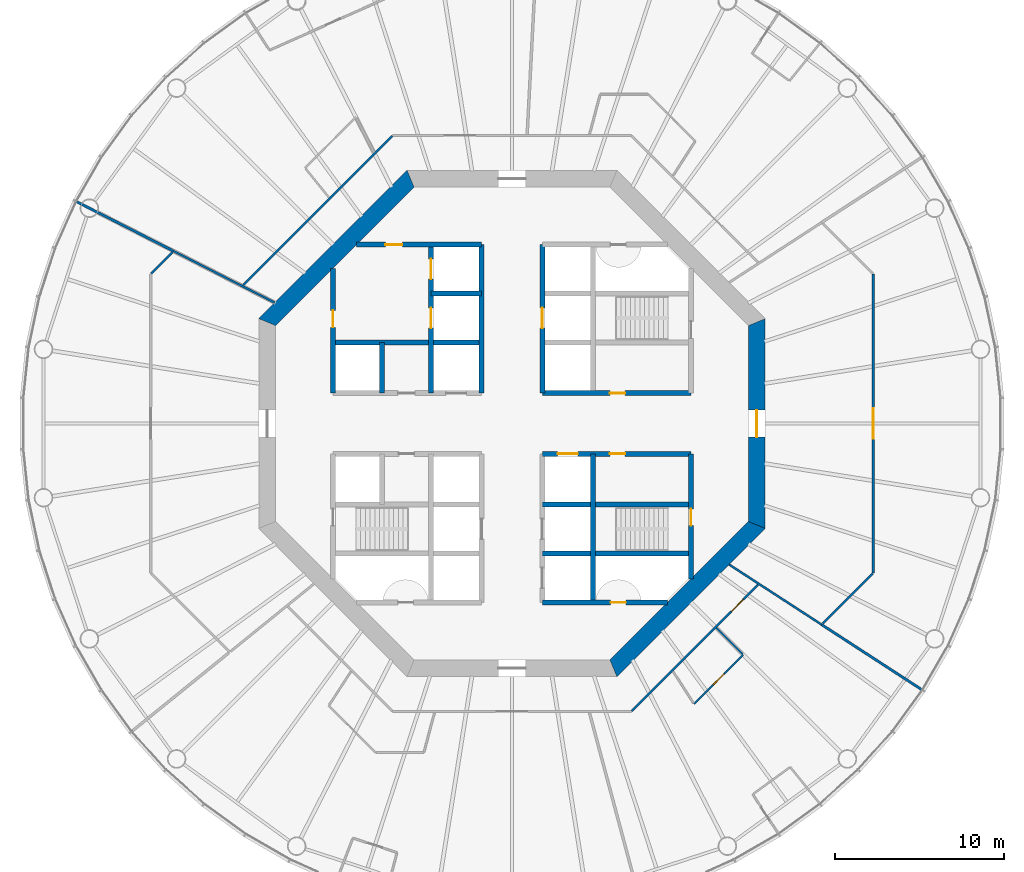
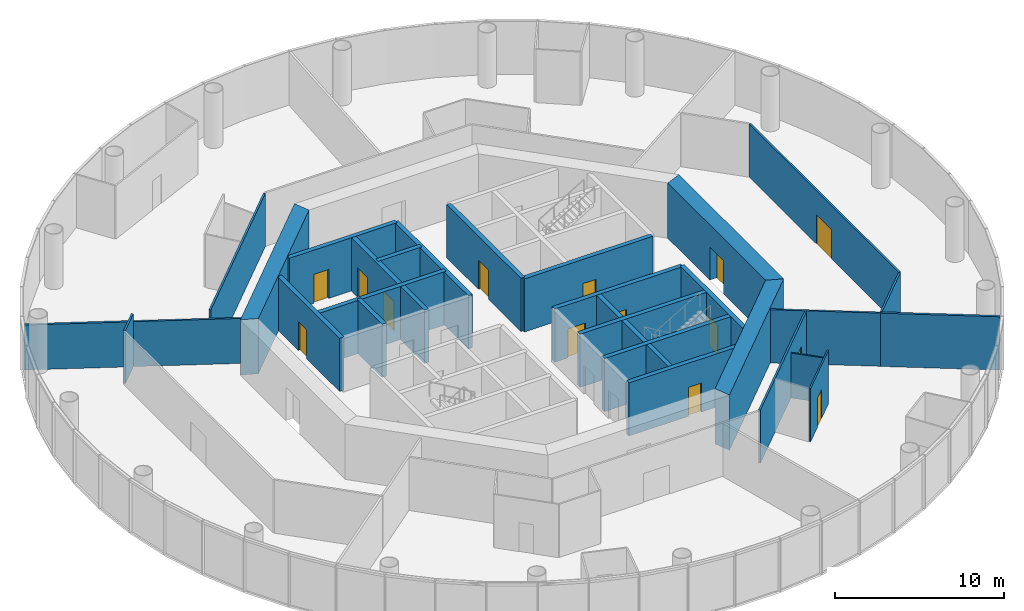
# One storey, part 4 of 13: 29 walls, 14 doors, 14 openings.
"""IFC4 building model written with IfcOpenShell, lengths in metres."""

from ifc_helpers import new_model, si_unit, direction, frame, frame_2d, origin, place, context, subcontext, project, spatial, polyline, rectangle, outline, extrude, material, layer, layer_set, type_object, element, fill, save


model = new_model("IFC4")

# Units and contexts
model_context = context("Model", 3, precision=1e-05, world=origin(), true_north=direction((0.0, 1.0)))
body_context = subcontext(model_context, "Body", "Model", "MODEL_VIEW")
ifc_project = project(units=[si_unit("LENGTHUNIT", "METRE"), si_unit("AREAUNIT", "SQUARE_METRE"), si_unit("VOLUMEUNIT", "CUBIC_METRE"), si_unit("PLANEANGLEUNIT", "RADIAN"), si_unit("MASSUNIT", "GRAM", prefix="KILO")], contexts=[model_context])

# Site, building, storey
site_placement = place(None, origin())
site = spatial("IfcSite", under=ifc_project, at=site_placement, CompositionType="ELEMENT")
building_placement = place(site_placement, origin())
building = spatial("IfcBuilding", under=site, at=building_placement, Name="Entoto Ring Tower", CompositionType="ELEMENT")
storey_placement = place(building_placement, frame((0.0, 0.0, 172.0)))
storey = spatial("IfcBuildingStorey", under=building, at=storey_placement, Name="L39", CompositionType="ELEMENT", Elevation=172.0)

# Wall, opening, door
ifc_material_1 = material(Name="Concrete C40/50", Category="concrete")
ifc_layer_1 = layer(ifc_material_1, 0.300048828125)
ifc_layer_set_1 = layer_set([ifc_layer_1], Name="Concrete C40/50")
wall_type_1 = type_object("IfcWallType", Name="Core enclosure wall 300 mm reinforced concrete", PredefinedType="SOLIDWALL", material=ifc_layer_set_1)
wall_1_placement = place(storey_placement, frame((100.60009765625, 70.801025390625, 0.0), z_axis=(0.0, 0.0, 1.0), x_axis=(0.0, 1.0, 0.0)))
wall_1 = element("IfcWall", 1, at=wall_1_placement, inside=storey, type_object=wall_type_1, Name="wall-L39-001", PredefinedType="SOLIDWALL", context=body_context, shape_type="SweptSolid", body=[
    extrude(rectangle(XDim=7.39892578125, YDim=0.300048828125, at=frame_2d((3.699462890625, 0.0))), origin(), (0.0, 0.0, 1.0), 3.85009765625),
])
opening_1_placement = place(wall_1_placement, frame((3.14892578125, 0.0, 0.0)))
opening_1 = element("IfcOpeningElement", 2, at=opening_1_placement, cuts=wall_1, Name="Opening K-17", PredefinedType="OPENING", context=body_context, shape_type="SweptSolid", body=[
    extrude(rectangle(XDim=1.0, YDim=2.10009765625, at=frame_2d((0.5, 1.050048828125))), frame((0.0, 0.16015625, 0.0), z_axis=(0.0, -1.0, 0.0), x_axis=(1.0, 0.0, 0.0)), (0.0, 0.0, 1.0), 0.320068359375),
])
ifc_material_2 = material(Name="Steel door leaf, fire rated", Category="steel")
ifc_layer_2 = layer(ifc_material_2, 0.050048828125)
ifc_layer_set_2 = layer_set([ifc_layer_2], Name="Steel door leaf, fire rated")
door_type_1 = type_object("IfcDoorType", Name="Fire door FD60 1000 x 2100 single leaf", OperationType="NOTDEFINED", PredefinedType="DOOR", material=ifc_layer_set_2)
door_1_placement = place(opening_1_placement, origin())
door_1 = element("IfcDoor", 3, at=door_1_placement, inside=storey, type_object=door_type_1, Name="Door K-17", OperationType="SINGLE_SWING_RIGHT", OverallHeight=2.10009765625, OverallWidth=1.0, PredefinedType="DOOR", context=body_context, shape_type="SweptSolid", body=[
    extrude(rectangle(XDim=1.0, YDim=2.10009765625, at=frame_2d((0.5, 1.050048828125))), frame((0.0, 0.02490234375, 0.0), z_axis=(0.0, -1.0, 0.0), x_axis=(1.0, 0.0, 0.0)), (0.0, 0.0, 1.0), 0.050048828125),
])
fill(opening_1, door_1)

# Wall
wall_2_placement = place(storey_placement, frame((94.800048828125, 69.39990234375, 0.0), z_axis=(0.0, 0.0, 1.0), x_axis=(0.0, 1.0, 0.0)))
element("IfcWall", 4, at=wall_2_placement, inside=storey, type_object=wall_type_1, Name="wall-L39-003", PredefinedType="SOLIDWALL", context=body_context, shape_type="SweptSolid", body=[
    extrude(rectangle(XDim=8.800048828125, YDim=0.300048828125, at=frame_2d((4.39990234375, 0.0))), origin(), (0.0, 0.0, 1.0), 3.85009765625),
])

# Wall, opening, door
wall_3_placement = place(storey_placement, frame((91.800048828125, 81.800048828125, 0.0), z_axis=(0.0, 0.0, 1.0), x_axis=(0.0, 1.0, 0.0)))
wall_3 = element("IfcWall", 5, at=wall_3_placement, inside=storey, type_object=wall_type_1, Name="wall-L39-006", PredefinedType="SOLIDWALL", context=body_context, shape_type="SweptSolid", body=[
    extrude(rectangle(XDim=8.800048828125, YDim=0.300048828125, at=frame_2d((4.39990234375, 0.0))), origin(), (0.0, 0.0, 1.0), 3.85009765625),
])
opening_2_placement = place(wall_3_placement, frame((3.85009765625, 0.0, 0.0)))
opening_2 = element("IfcOpeningElement", 6, at=opening_2_placement, cuts=wall_3, Name="Opening LD", PredefinedType="OPENING", context=body_context, shape_type="SweptSolid", body=[
    extrude(rectangle(XDim=1.199951171875, YDim=2.10009765625, at=frame_2d((0.60009765625, 1.050048828125))), frame((0.0, 0.16015625, 0.0), z_axis=(0.0, -1.0, 0.0), x_axis=(1.0, 0.0, 0.0)), (0.0, 0.0, 1.0), 0.320068359375),
])
ifc_material_3 = material(Name="Steel and glass door leaf", Category="steel")
ifc_layer_3 = layer(ifc_material_3, 0.050048828125)
ifc_layer_set_3 = layer_set([ifc_layer_3], Name="Steel and glass door leaf")
door_type_2 = type_object("IfcDoorType", Name="Landing door 1200 x 2100 sliding", OperationType="DOUBLE_DOOR_SLIDING", PredefinedType="DOOR", material=ifc_layer_set_3)
door_2_placement = place(opening_2_placement, origin())
door_2 = element("IfcDoor", 7, at=door_2_placement, inside=storey, type_object=door_type_2, Name="Landing door LB1-MR", OperationType="SLIDING_TO_RIGHT", OverallHeight=2.10009765625, OverallWidth=1.199951171875, PredefinedType="DOOR", context=body_context, shape_type="SweptSolid", body=[
    extrude(rectangle(XDim=1.199951171875, YDim=2.10009765625, at=frame_2d((0.60009765625, 1.050048828125))), frame((0.0, 0.02490234375, 0.0), z_axis=(0.0, -1.0, 0.0), x_axis=(1.0, 0.0, 0.0)), (0.0, 0.0, 1.0), 0.050048828125),
])
fill(opening_2, door_2)

# Wall
wall_4_placement = place(storey_placement, frame((88.199951171875, 81.800048828125, 0.0), z_axis=(0.0, 0.0, 1.0), x_axis=(0.0, 1.0, 0.0)))
element("IfcWall", 8, at=wall_4_placement, inside=storey, type_object=wall_type_1, Name="wall-L39-008", PredefinedType="SOLIDWALL", context=body_context, shape_type="SweptSolid", body=[
    extrude(rectangle(XDim=8.800048828125, YDim=0.300048828125, at=frame_2d((4.39990234375, 0.0))), origin(), (0.0, 0.0, 1.0), 3.85009765625),
])

# Wall, openings, doors
wall_5_placement = place(storey_placement, frame((85.199951171875, 81.800048828125, 0.0), z_axis=(0.0, 0.0, 1.0), x_axis=(0.0, 1.0, 0.0)))
wall_5 = element("IfcWall", 9, at=wall_5_placement, inside=storey, type_object=wall_type_1, Name="wall-L39-010", PredefinedType="SOLIDWALL", context=body_context, shape_type="SweptSolid", body=[
    extrude(rectangle(XDim=8.800048828125, YDim=0.300048828125, at=frame_2d((4.39990234375, 0.0))), origin(), (0.0, 0.0, 1.0), 3.85009765625),
])
opening_3_placement = place(wall_5_placement, frame((3.85009765625, 0.0, 0.0)))
opening_3 = element("IfcOpeningElement", 10, at=opening_3_placement, cuts=wall_5, Name="Opening LD", PredefinedType="OPENING", context=body_context, shape_type="SweptSolid", body=[
    extrude(rectangle(XDim=1.199951171875, YDim=2.10009765625, at=frame_2d((0.60009765625, 1.050048828125))), frame((0.0, 0.16015625, 0.0), z_axis=(0.0, -1.0, 0.0), x_axis=(1.0, 0.0, 0.0)), (0.0, 0.0, 1.0), 0.320068359375),
])
opening_4_placement = place(wall_5_placement, frame((6.75, 0.0, 0.0)))
opening_4 = element("IfcOpeningElement", 11, at=opening_4_placement, cuts=wall_5, Name="Opening LD", PredefinedType="OPENING", context=body_context, shape_type="SweptSolid", body=[
    extrude(rectangle(XDim=1.199951171875, YDim=2.10009765625, at=frame_2d((0.60009765625, 1.050048828125))), frame((0.0, 0.16015625, 0.0), z_axis=(0.0, -1.0, 0.0), x_axis=(1.0, 0.0, 0.0)), (0.0, 0.0, 1.0), 0.320068359375),
])
door_3_placement = place(opening_3_placement, origin())
door_3 = element("IfcDoor", 12, at=door_3_placement, inside=storey, type_object=door_type_2, Name="Landing door FF1", OperationType="SLIDING_TO_RIGHT", OverallHeight=2.10009765625, OverallWidth=1.199951171875, PredefinedType="DOOR", context=body_context, shape_type="SweptSolid", body=[
    extrude(rectangle(XDim=1.199951171875, YDim=2.10009765625, at=frame_2d((0.60009765625, 1.050048828125))), frame((0.0, 0.02490234375, 0.0), z_axis=(0.0, -1.0, 0.0), x_axis=(1.0, 0.0, 0.0)), (0.0, 0.0, 1.0), 0.050048828125),
])
fill(opening_3, door_3)
door_4_placement = place(opening_4_placement, origin())
door_4 = element("IfcDoor", 13, at=door_4_placement, inside=storey, type_object=door_type_2, Name="Landing door FF2", OperationType="SLIDING_TO_RIGHT", OverallHeight=2.10009765625, OverallWidth=1.199951171875, PredefinedType="DOOR", context=body_context, shape_type="SweptSolid", body=[
    extrude(rectangle(XDim=1.199951171875, YDim=2.10009765625, at=frame_2d((0.60009765625, 1.050048828125))), frame((0.0, 0.02490234375, 0.0), z_axis=(0.0, -1.0, 0.0), x_axis=(1.0, 0.0, 0.0)), (0.0, 0.0, 1.0), 0.050048828125),
])
fill(opening_4, door_4)

# Wall
wall_6_placement = place(storey_placement, frame((82.300048828125, 81.800048828125, 0.0), z_axis=(0.0, 0.0, 1.0), x_axis=(0.0, 1.0, 0.0)))
element("IfcWall", 14, at=wall_6_placement, inside=storey, type_object=wall_type_1, Name="wall-L39-012", PredefinedType="SOLIDWALL", context=body_context, shape_type="SweptSolid", body=[
    extrude(rectangle(XDim=3.0, YDim=0.300048828125, at=frame_2d((1.5, 0.0))), origin(), (0.0, 0.0, 1.0), 3.85009765625),
])

# Wall, opening, door
wall_7_placement = place(storey_placement, frame((79.39990234375, 81.800048828125, 0.0), z_axis=(0.0, 0.0, 1.0), x_axis=(0.0, 1.0, 0.0)))
wall_7 = element("IfcWall", 15, at=wall_7_placement, inside=storey, type_object=wall_type_1, Name="wall-L39-014", PredefinedType="SOLIDWALL", context=body_context, shape_type="SweptSolid", body=[
    extrude(rectangle(XDim=7.39892578125, YDim=0.300048828125, at=frame_2d((3.699462890625, 0.0))), origin(), (0.0, 0.0, 1.0), 3.85009765625),
])
opening_5_placement = place(wall_7_placement, frame((3.89990234375, 0.0, 0.0)))
opening_5 = element("IfcOpeningElement", 16, at=opening_5_placement, cuts=wall_7, Name="Opening K-67", PredefinedType="OPENING", context=body_context, shape_type="SweptSolid", body=[
    extrude(rectangle(XDim=1.0, YDim=2.10009765625, at=frame_2d((0.5, 1.050048828125))), frame((0.0, 0.16015625, 0.0), z_axis=(0.0, -1.0, 0.0), x_axis=(1.0, 0.0, 0.0)), (0.0, 0.0, 1.0), 0.320068359375),
])
door_5_placement = place(opening_5_placement, frame((1.0, 0.0, 0.0), z_axis=(0.0, 0.0, 1.0), x_axis=(-1.0, 0.0, 0.0)))
door_5 = element("IfcDoor", 17, at=door_5_placement, inside=storey, type_object=door_type_1, Name="Door K-67", OperationType="SINGLE_SWING_RIGHT", OverallHeight=2.10009765625, OverallWidth=1.0, PredefinedType="DOOR", context=body_context, shape_type="SweptSolid", body=[
    extrude(rectangle(XDim=1.0, YDim=2.10009765625, at=frame_2d((0.5, 1.050048828125))), frame((0.0, 0.02490234375, 0.0), z_axis=(0.0, -1.0, 0.0), x_axis=(1.0, 0.0, 0.0)), (0.0, 0.0, 1.0), 0.050048828125),
])
fill(opening_5, door_5)

wall_8_placement = place(storey_placement, frame((91.800048828125, 69.39990234375, 0.0), z_axis=(0.0, 0.0, 1.0), x_axis=(1.0, 0.0, 0.0)))
wall_8 = element("IfcWall", 18, at=wall_8_placement, inside=storey, type_object=wall_type_1, Name="wall-L39-016", PredefinedType="SOLIDWALL", context=body_context, shape_type="SweptSolid", body=[
    extrude(rectangle(XDim=7.39892578125, YDim=0.300048828125, at=frame_2d((3.699462890625, 0.0))), origin(), (0.0, 0.0, 1.0), 3.85009765625),
])
opening_6_placement = place(wall_8_placement, frame((4.050048828125, 0.0, 0.0)))
opening_6 = element("IfcOpeningElement", 19, at=opening_6_placement, cuts=wall_8, Name="Opening K-20", PredefinedType="OPENING", context=body_context, shape_type="SweptSolid", body=[
    extrude(rectangle(XDim=0.89990234375, YDim=2.10009765625, at=frame_2d((0.449951171875, 1.050048828125))), frame((0.0, 0.16015625, 0.0), z_axis=(0.0, -1.0, 0.0), x_axis=(1.0, 0.0, 0.0)), (0.0, 0.0, 1.0), 0.320068359375),
])
ifc_material_4 = material(Name="Steel door leaf, fire rated", Category="steel")
ifc_layer_4 = layer(ifc_material_4, 0.050048828125)
ifc_layer_set_4 = layer_set([ifc_layer_4], Name="Steel door leaf, fire rated")
door_type_3 = type_object("IfcDoorType", Name="Riser door FD60 900 x 2100 single leaf", OperationType="NOTDEFINED", PredefinedType="DOOR", material=ifc_layer_set_4)
door_6_placement = place(opening_6_placement, origin())
door_6 = element("IfcDoor", 20, at=door_6_placement, inside=storey, type_object=door_type_3, Name="Door K-20", OperationType="SINGLE_SWING_LEFT", OverallHeight=2.10009765625, OverallWidth=0.89990234375, PredefinedType="DOOR", context=body_context, shape_type="SweptSolid", body=[
    extrude(rectangle(XDim=0.89990234375, YDim=2.10009765625, at=frame_2d((0.449951171875, 1.050048828125))), frame((0.0, 0.02490234375, 0.0), z_axis=(0.0, -1.0, 0.0), x_axis=(1.0, 0.0, 0.0)), (0.0, 0.0, 1.0), 0.050048828125),
])
fill(opening_6, door_6)

# Walls
for number, where, z_axis, x_axis, name in (
    (21, (91.800048828125, 72.300048828125, 0.0), (0.0, 0.0, 1.0), (1.0, 0.0, 0.0), "wall-L39-018"),
    (22, (91.800048828125, 75.199951171875, 0.0), (0.0, 0.0, 1.0), (1.0, 0.0, 0.0), "wall-L39-020"),
):
    element("IfcWall", number, at=place(storey_placement, frame(where, z_axis=z_axis, x_axis=x_axis)), inside=storey, type_object=wall_type_1, Name=name, PredefinedType="SOLIDWALL", context=body_context, shape_type="SweptSolid", body=[
        extrude(rectangle(XDim=8.800048828125, YDim=0.300048828125, at=frame_2d((4.39990234375, 0.0))), origin(), (0.0, 0.0, 1.0), 3.85009765625),
    ])

# Wall, openings, doors
wall_9_placement = place(storey_placement, frame((91.800048828125, 78.199951171875, 0.0), z_axis=(0.0, 0.0, 1.0), x_axis=(1.0, 0.0, 0.0)))
wall_9 = element("IfcWall", 23, at=wall_9_placement, inside=storey, type_object=wall_type_1, Name="wall-L39-022", PredefinedType="SOLIDWALL", context=body_context, shape_type="SweptSolid", body=[
    extrude(rectangle(XDim=8.800048828125, YDim=0.300048828125, at=frame_2d((4.39990234375, 0.0))), origin(), (0.0, 0.0, 1.0), 3.85009765625),
])
opening_7_placement = place(wall_9_placement, frame((0.89990234375, 0.0, 0.0)))
opening_7 = element("IfcOpeningElement", 24, at=opening_7_placement, cuts=wall_9, Name="Opening LD", PredefinedType="OPENING", context=body_context, shape_type="SweptSolid", body=[
    extrude(rectangle(XDim=1.199951171875, YDim=2.10009765625, at=frame_2d((0.60009765625, 1.050048828125))), frame((0.0, 0.16015625, 0.0), z_axis=(0.0, -1.0, 0.0), x_axis=(1.0, 0.0, 0.0)), (0.0, 0.0, 1.0), 0.320068359375),
])
opening_8_placement = place(wall_9_placement, frame((4.0, 0.0, 0.0)))
opening_8 = element("IfcOpeningElement", 25, at=opening_8_placement, cuts=wall_9, Name="Opening K-12", PredefinedType="OPENING", context=body_context, shape_type="SweptSolid", body=[
    extrude(rectangle(XDim=0.89990234375, YDim=2.10009765625, at=frame_2d((0.449951171875, 1.050048828125))), frame((0.0, 0.16015625, 0.0), z_axis=(0.0, -1.0, 0.0), x_axis=(1.0, 0.0, 0.0)), (0.0, 0.0, 1.0), 0.320068359375),
])
ifc_material_5 = material(Name="Steel door leaf, fire rated", Category="steel")
ifc_layer_5 = layer(ifc_material_5, 0.050048828125)
ifc_layer_set_5 = layer_set([ifc_layer_5], Name="Steel door leaf, fire rated")
door_type_4 = type_object("IfcDoorType", Name="Core door 900 x 2100 single leaf", OperationType="NOTDEFINED", PredefinedType="DOOR", material=ifc_layer_set_5)
door_7_placement = place(opening_8_placement, frame((0.89990234375, 0.0, 0.0), z_axis=(0.0, 0.0, 1.0), x_axis=(-1.0, 0.0, 0.0)))
door_7 = element("IfcDoor", 26, at=door_7_placement, inside=storey, type_object=door_type_4, Name="Door K-12", OperationType="SINGLE_SWING_RIGHT", OverallHeight=2.10009765625, OverallWidth=0.89990234375, PredefinedType="DOOR", context=body_context, shape_type="SweptSolid", body=[
    extrude(rectangle(XDim=0.89990234375, YDim=2.10009765625, at=frame_2d((0.449951171875, 1.050048828125))), frame((0.0, 0.02490234375, 0.0), z_axis=(0.0, -1.0, 0.0), x_axis=(1.0, 0.0, 0.0)), (0.0, 0.0, 1.0), 0.050048828125),
])
fill(opening_8, door_7)
door_8_placement = place(opening_7_placement, origin())
door_8 = element("IfcDoor", 27, at=door_8_placement, inside=storey, type_object=door_type_2, Name="Landing door LB6-MR", OperationType="SLIDING_TO_LEFT", OverallHeight=2.10009765625, OverallWidth=1.199951171875, PredefinedType="DOOR", context=body_context, shape_type="SweptSolid", body=[
    extrude(rectangle(XDim=1.199951171875, YDim=2.10009765625, at=frame_2d((0.60009765625, 1.050048828125))), frame((0.0, 0.02490234375, 0.0), z_axis=(0.0, -1.0, 0.0), x_axis=(1.0, 0.0, 0.0)), (0.0, 0.0, 1.0), 0.050048828125),
])
fill(opening_7, door_8)

# Wall, opening, door
wall_10_placement = place(storey_placement, frame((91.800048828125, 81.800048828125, 0.0), z_axis=(0.0, 0.0, 1.0), x_axis=(1.0, 0.0, 0.0)))
wall_10 = element("IfcWall", 28, at=wall_10_placement, inside=storey, type_object=wall_type_1, Name="wall-L39-024", PredefinedType="SOLIDWALL", context=body_context, shape_type="SweptSolid", body=[
    extrude(rectangle(XDim=8.800048828125, YDim=0.300048828125, at=frame_2d((4.39990234375, 0.0))), origin(), (0.0, 0.0, 1.0), 3.85009765625),
])
opening_9_placement = place(wall_10_placement, frame((4.0, 0.0, 0.0)))
opening_9 = element("IfcOpeningElement", 29, at=opening_9_placement, cuts=wall_10, Name="Opening K-11", PredefinedType="OPENING", context=body_context, shape_type="SweptSolid", body=[
    extrude(rectangle(XDim=0.89990234375, YDim=2.10009765625, at=frame_2d((0.449951171875, 1.050048828125))), frame((0.0, 0.16015625, 0.0), z_axis=(0.0, -1.0, 0.0), x_axis=(1.0, 0.0, 0.0)), (0.0, 0.0, 1.0), 0.320068359375),
])
door_9_placement = place(opening_9_placement, origin())
door_9 = element("IfcDoor", 30, at=door_9_placement, inside=storey, type_object=door_type_4, Name="Door K-11", OperationType="SINGLE_SWING_LEFT", OverallHeight=2.10009765625, OverallWidth=0.89990234375, PredefinedType="DOOR", context=body_context, shape_type="SweptSolid", body=[
    extrude(rectangle(XDim=0.89990234375, YDim=2.10009765625, at=frame_2d((0.449951171875, 1.050048828125))), frame((0.0, 0.02490234375, 0.0), z_axis=(0.0, -1.0, 0.0), x_axis=(1.0, 0.0, 0.0)), (0.0, 0.0, 1.0), 0.050048828125),
])
fill(opening_9, door_9)

# Walls
wall_11_placement = place(storey_placement, frame((79.39990234375, 84.800048828125, 0.0), z_axis=(0.0, 0.0, 1.0), x_axis=(1.0, 0.0, 0.0)))
element("IfcWall", 31, at=wall_11_placement, inside=storey, type_object=wall_type_1, Name="wall-L39-025", PredefinedType="SOLIDWALL", context=body_context, shape_type="SweptSolid", body=[
    extrude(rectangle(XDim=8.800048828125, YDim=0.300048828125, at=frame_2d((4.39990234375, 0.0))), origin(), (0.0, 0.0, 1.0), 3.85009765625),
])
wall_12_placement = place(storey_placement, frame((85.199951171875, 87.699951171875, 0.0), z_axis=(0.0, 0.0, 1.0), x_axis=(1.0, 0.0, 0.0)))
element("IfcWall", 32, at=wall_12_placement, inside=storey, type_object=wall_type_1, Name="wall-L39-027", PredefinedType="SOLIDWALL", context=body_context, shape_type="SweptSolid", body=[
    extrude(rectangle(XDim=3.0, YDim=0.300048828125, at=frame_2d((1.5, 0.0))), origin(), (0.0, 0.0, 1.0), 3.85009765625),
])

# Wall, opening, door
wall_13_placement = place(storey_placement, frame((80.801025390625, 90.60009765625, 0.0), z_axis=(0.0, 0.0, 1.0), x_axis=(1.0, 0.0, 0.0)))
wall_13 = element("IfcWall", 33, at=wall_13_placement, inside=storey, type_object=wall_type_1, Name="wall-L39-029", PredefinedType="SOLIDWALL", context=body_context, shape_type="SweptSolid", body=[
    extrude(rectangle(XDim=7.39892578125, YDim=0.300048828125, at=frame_2d((3.699462890625, 0.0))), origin(), (0.0, 0.0, 1.0), 3.85009765625),
])
opening_10_placement = place(wall_13_placement, frame((1.698974609375, 0.0, 0.0)))
opening_10 = element("IfcOpeningElement", 34, at=opening_10_placement, cuts=wall_13, Name="Opening K-22", PredefinedType="OPENING", context=body_context, shape_type="SweptSolid", body=[
    extrude(rectangle(XDim=1.0, YDim=2.10009765625, at=frame_2d((0.5, 1.050048828125))), frame((0.0, 0.16015625, 0.0), z_axis=(0.0, -1.0, 0.0), x_axis=(1.0, 0.0, 0.0)), (0.0, 0.0, 1.0), 0.320068359375),
])
door_10_placement = place(opening_10_placement, frame((1.0, 0.0, 0.0), z_axis=(0.0, 0.0, 1.0), x_axis=(-1.0, 0.0, 0.0)))
door_10 = element("IfcDoor", 35, at=door_10_placement, inside=storey, type_object=door_type_1, Name="Door K-22", OperationType="SINGLE_SWING_LEFT", OverallHeight=2.10009765625, OverallWidth=1.0, PredefinedType="DOOR", context=body_context, shape_type="SweptSolid", body=[
    extrude(rectangle(XDim=1.0, YDim=2.10009765625, at=frame_2d((0.5, 1.050048828125))), frame((0.0, 0.02490234375, 0.0), z_axis=(0.0, -1.0, 0.0), x_axis=(1.0, 0.0, 0.0)), (0.0, 0.0, 1.0), 0.050048828125),
])
fill(opening_10, door_10)

ifc_material_6 = material(Name="Concrete C50/60", Category="concrete")
ifc_layer_6 = layer(ifc_material_6, 1.0)
ifc_layer_set_6 = layer_set([ifc_layer_6], Name="Concrete C50/60")
wall_type_2 = type_object("IfcWallType", Name="Core shear wall 1000 mm reinforced concrete C50/60", PredefinedType="SHEAR", material=ifc_layer_set_6)
wall_14_placement = place(storey_placement, frame((104.5, 73.993896484375, 0.0), z_axis=(0.0, 0.0, 1.0), x_axis=(0.0, 1.0, 0.0)))
wall_14 = element("IfcWall", 36, at=wall_14_placement, inside=storey, type_object=wall_type_2, Name="wall-L39-core-0", PredefinedType="SHEAR", context=body_context, shape_type="SweptSolid", body=[
    extrude(outline(polyline([(-0.20703125, -0.5), (12.21923828125, -0.5), (11.80517578125, 0.5), (0.20703125, 0.5), (-0.20703125, -0.5)])), origin(), (0.0, 0.0, 1.0), 4.0),
])
opening_11_placement = place(wall_14_placement, frame((5.2060546875, 0.0, 0.0)))
opening_11 = element("IfcOpeningElement", 37, at=opening_11_placement, cuts=wall_14, Name="Opening K-01", PredefinedType="OPENING", context=body_context, shape_type="SweptSolid", body=[
    extrude(rectangle(XDim=1.60009765625, YDim=2.39990234375, at=frame_2d((0.800048828125, 1.199951171875))), frame((0.0, 0.510009765625, 0.0), z_axis=(0.0, -1.0, 0.0), x_axis=(1.0, 0.0, 0.0)), (0.0, 0.0, 1.0), 1.02001953125),
])
ifc_material_7 = material(Name="Steel door leaf, fire rated", Category="steel")
ifc_layer_7 = layer(ifc_material_7, 0.050048828125)
ifc_layer_set_7 = layer_set([ifc_layer_7], Name="Steel door leaf, fire rated")
door_type_5 = type_object("IfcDoorType", Name="Entrance door FD60 1600 x 2400 double leaf", OperationType="DOUBLE_DOOR_SINGLE_SWING", PredefinedType="DOOR", material=ifc_layer_set_7)
door_11_placement = place(opening_11_placement, origin())
door_11 = element("IfcDoor", 38, at=door_11_placement, inside=storey, type_object=door_type_5, Name="Entrance door K-01", OperationType="DOUBLE_DOOR_SINGLE_SWING", OverallHeight=2.39990234375, OverallWidth=1.60009765625, PredefinedType="DOOR", context=body_context, shape_type="SweptSolid", body=[
    extrude(rectangle(XDim=1.60009765625, YDim=2.39990234375, at=frame_2d((0.800048828125, 1.199951171875))), frame((0.0, 0.02490234375, 0.0), z_axis=(0.0, -1.0, 0.0), x_axis=(1.0, 0.0, 0.0)), (0.0, 0.0, 1.0), 0.050048828125),
])
fill(opening_11, door_11)

# Walls
for number, where, z_axis, x_axis, name in (
    (39, (83.993896484375, 94.5, 0.0), (0.0, 0.0, 1.0), (-0.707106781187, -0.707106781187, 0.0), "wall-L39-core-3"),
    (40, (96.006103515625, 65.5, 0.0), (0.0, 0.0, 1.0), (0.707106781187, 0.707106781187, 0.0), "wall-L39-core-7"),
):
    element("IfcWall", number, at=place(storey_placement, frame(where, z_axis=z_axis, x_axis=x_axis)), inside=storey, type_object=wall_type_2, Name=name, PredefinedType="SHEAR", context=body_context, shape_type="SweptSolid", body=[
        extrude(outline(polyline([(-0.20703125, -0.5), (12.21923828125, -0.5), (11.80517578125, 0.5), (0.20703125, 0.5), (-0.20703125, -0.5)])), origin(), (0.0, 0.0, 1.0), 4.0),
    ])

# Wall, opening, door
ifc_material_8 = material(Name="Fire-resisting plasterboard on steel studs", Category="steel")
ifc_layer_8 = layer(ifc_material_8, 0.125)
ifc_layer_set_8 = layer_set([ifc_layer_8], Name="Fire-resisting plasterboard on steel studs")
wall_type_3 = type_object("IfcWallType", Name="Corridor wall 125 mm one-hour plasterboard on steel studs", PredefinedType="PARTITIONING", material=ifc_layer_set_8)
wall_15_placement = place(storey_placement, frame((111.39990234375, 71.1357421875, 0.0), z_axis=(0.0, 0.0, 1.0), x_axis=(0.0, 1.0, 0.0)))
wall_15 = element("IfcWall", 41, at=wall_15_placement, inside=storey, type_object=wall_type_3, Name="partition-L39-002", PredefinedType="PARTITIONING", context=body_context, shape_type="SweptSolid", body=[
    extrude(rectangle(XDim=17.728515625, YDim=0.125, at=frame_2d((8.8642578125, 0.0))), origin(), (0.0, 0.0, 1.0), 3.85009765625),
])
opening_12_placement = place(wall_15_placement, frame((7.964111328125, 0.0, 0.0)))
opening_12 = element("IfcOpeningElement", 42, at=opening_12_placement, cuts=wall_15, Name="Opening A17-D01", PredefinedType="OPENING", context=body_context, shape_type="SweptSolid", body=[
    extrude(rectangle(XDim=1.800048828125, YDim=2.10009765625, at=frame_2d((0.89990234375, 1.050048828125))), frame((0.0, 0.072509765625, 0.0), z_axis=(0.0, -1.0, 0.0), x_axis=(1.0, 0.0, 0.0)), (0.0, 0.0, 1.0), 0.14501953125),
])
ifc_material_9 = material(Name="Fire-resisting timber door set", Category="wood")
door_type_6 = type_object("IfcDoorType", Name="Door 1800 x 2100 double leaf FD30S fire door", OperationType="DOUBLE_DOOR_SINGLE_SWING", PredefinedType="DOOR", material=ifc_material_9)
door_12_placement = place(opening_12_placement, frame((1.800048828125, 0.0, 0.0), z_axis=(0.0, 0.0, 1.0), x_axis=(-1.0, 0.0, 0.0)))
door_12 = element("IfcDoor", 43, at=door_12_placement, inside=storey, type_object=door_type_6, Name="Door A17-D01", OperationType="DOUBLE_DOOR_SINGLE_SWING", OverallHeight=2.10009765625, OverallWidth=1.800048828125, PredefinedType="DOOR", context=body_context, shape_type="SweptSolid", body=[
    extrude(rectangle(XDim=1.800048828125, YDim=2.10009765625, at=frame_2d((0.89990234375, 1.050048828125))), frame((0.0, 0.02490234375, 0.0), z_axis=(0.0, -1.0, 0.0), x_axis=(1.0, 0.0, 0.0)), (0.0, 0.0, 1.0), 0.050048828125),
])
fill(opening_12, door_12)

# Wall
wall_16_placement = place(storey_placement, frame((74.075439453125, 88.20556640625, 0.0), z_axis=(0.0, 0.0, 1.0), x_axis=(0.707106781187, 0.707106781187, 0.0)))
element("IfcWall", 44, at=wall_16_placement, inside=storey, type_object=wall_type_3, Name="partition-L39-005", PredefinedType="PARTITIONING", context=body_context, shape_type="SweptSolid", body=[
    extrude(rectangle(XDim=12.481689453125, YDim=0.125, at=frame_2d((6.24072265625, 0.0))), origin(), (0.0, 0.0, 1.0), 3.85009765625),
])

# Wall, opening, door
wall_17_placement = place(storey_placement, frame((97.0986328125, 62.968505859375, 0.0), z_axis=(0.0, 0.0, 1.0), x_axis=(0.707095235926, 0.707118326258, 0.0)))
wall_17 = element("IfcWall", 45, at=wall_17_placement, inside=storey, type_object=wall_type_3, Name="partition-L39-006", PredefinedType="PARTITIONING", context=body_context, shape_type="SweptSolid", body=[
    extrude(rectangle(XDim=10.5732421875, YDim=0.125, at=frame_2d((5.28662109375, 0.0))), origin(), (0.0, 0.0, 1.0), 3.85009765625),
])
opening_13_placement = place(wall_17_placement, frame((8.3369140625, 0.0, 0.0)))
opening_13 = element("IfcOpeningElement", 46, at=opening_13_placement, cuts=wall_17, Name="Opening A17-D12", PredefinedType="OPENING", context=body_context, shape_type="SweptSolid", body=[
    extrude(rectangle(XDim=1.0, YDim=2.10009765625, at=frame_2d((0.5, 1.050048828125))), frame((0.0, 0.072509765625, 0.0), z_axis=(0.0, -1.0, 0.0), x_axis=(1.0, 0.0, 0.0)), (0.0, 0.0, 1.0), 0.14501953125),
])
ifc_material_10 = material(Name="Fire-resisting timber door set", Category="wood")
door_type_7 = type_object("IfcDoorType", Name="Door 1000 x 2100 single leaf FD30S fire door", OperationType="NOTDEFINED", PredefinedType="DOOR", material=ifc_material_10)
door_13_placement = place(opening_13_placement, frame((1.0, 0.0, 0.0), z_axis=(0.0, 0.0, 1.0), x_axis=(-1.0, 0.0, 0.0)))
door_13 = element("IfcDoor", 47, at=door_13_placement, inside=storey, type_object=door_type_7, Name="Door A17-D12", OperationType="SINGLE_SWING_RIGHT", OverallHeight=2.10009765625, OverallWidth=1.0, PredefinedType="DOOR", context=body_context, shape_type="SweptSolid", body=[
    extrude(rectangle(XDim=1.0, YDim=2.10009765625, at=frame_2d((0.5, 1.050048828125))), frame((0.0, 0.02490234375, 0.0), z_axis=(0.0, -1.0, 0.0), x_axis=(1.0, 0.0, 0.0)), (0.0, 0.0, 1.0), 0.050048828125),
])
fill(opening_13, door_13)

# Walls
wall_18_placement = place(storey_placement, frame((108.348388671875, 68.084228515625, 0.0), z_axis=(0.0, 0.0, 1.0), x_axis=(-0.838654973698, 0.544663047298, 0.0)))
element("IfcWall", 48, at=wall_18_placement, inside=storey, type_object=wall_type_3, Name="partition-L39-012", PredefinedType="PARTITIONING", context=body_context, shape_type="SweptSolid", body=[
    extrude(rectangle(XDim=6.54296875, YDim=0.125, at=frame_2d((3.271484375, 0.0))), origin(), (0.0, 0.0, 1.0), 3.85009765625),
])
wall_19_placement = place(storey_placement, frame((108.412109375, 68.14794921875, 0.0), z_axis=(0.0, 0.0, 1.0), x_axis=(0.707106781187, 0.707106781187, 0.0)))
element("IfcWall", 49, at=wall_19_placement, inside=storey, type_object=wall_type_3, Name="partition-L39-014", PredefinedType="PARTITIONING", context=body_context, shape_type="SweptSolid", body=[
    extrude(rectangle(XDim=4.181640625, YDim=0.125, at=frame_2d((2.0908203125, 0.0))), origin(), (0.0, 0.0, 1.0), 3.85009765625),
])
wall_20_placement = place(storey_placement, frame((68.631103515625, 88.895263671875, 0.0), z_axis=(0.0, 0.0, 1.0), x_axis=(0.707037731162, 0.707175824469, 0.0)))
element("IfcWall", 50, at=wall_20_placement, inside=storey, type_object=wall_type_3, Name="partition-L39-016", PredefinedType="PARTITIONING", context=body_context, shape_type="SweptSolid", body=[
    extrude(rectangle(XDim=1.767822265625, YDim=0.125, at=frame_2d((0.8837890625, 0.0))), origin(), (0.0, 0.0, 1.0), 3.85009765625),
])
ifc_material_11 = material(Name="Fire-resisting plasterboard on steel studs", Category="steel")
ifc_layer_9 = layer(ifc_material_11, 0.125)
ifc_layer_set_9 = layer_set([ifc_layer_9], Name="Fire-resisting plasterboard on steel studs")
wall_type_4 = type_object("IfcWallType", Name="Corridor wall 125 mm one-hour plasterboard on steel studs, 3250 mm high", PredefinedType="PARTITIONING", material=ifc_layer_set_9)
wall_21_placement = place(storey_placement, frame((75.947021484375, 87.160400390625, 0.0), z_axis=(0.0, 0.0, 1.0), x_axis=(-0.891012915606, 0.453977955657, 0.0)))
element("IfcWall", 51, at=wall_21_placement, inside=storey, type_object=wall_type_4, Name="partition-L39-009", PredefinedType="PARTITIONING", context=body_context, shape_type="SweptSolid", body=[
    extrude(rectangle(XDim=6.729248046875, YDim=0.125, at=frame_2d((3.36474609375, 0.0))), origin(), (0.0, 0.0, 1.0), 3.25),
])

# Wall, opening, door
ifc_material_12 = material(Name="Plasterboard on steel studs", Category="steel")
ifc_layer_10 = layer(ifc_material_12, 0.10009765625)
ifc_layer_set_10 = layer_set([ifc_layer_10], Name="Plasterboard on steel studs")
wall_type_5 = type_object("IfcWallType", Name="Partition 100 mm plasterboard on steel studs", PredefinedType="PARTITIONING", material=ifc_layer_set_10)
wall_22_placement = place(storey_placement, frame((100.78662109375, 63.389892578125, 0.0), z_axis=(0.0, 0.0, 1.0), x_axis=(0.707136424919, 0.707077136211, 0.0)))
wall_22 = element("IfcWall", 52, at=wall_22_placement, inside=storey, type_object=wall_type_5, Name="partition-L39-025", PredefinedType="PARTITIONING", context=body_context, shape_type="SweptSolid", body=[
    extrude(rectangle(XDim=4.117919921875, YDim=0.10009765625, at=frame_2d((2.05908203125, 0.0))), origin(), (0.0, 0.0, 1.0), 3.85009765625),
])
opening_14_placement = place(wall_22_placement, frame((1.60888671875, 0.0, 0.0)))
opening_14 = element("IfcOpeningElement", 53, at=opening_14_placement, cuts=wall_22, Name="Opening A17-D13", PredefinedType="OPENING", context=body_context, shape_type="SweptSolid", body=[
    extrude(rectangle(XDim=0.89990234375, YDim=2.10009765625, at=frame_2d((0.449951171875, 1.050048828125))), frame((0.0, 0.06005859375, 0.0), z_axis=(0.0, -1.0, 0.0), x_axis=(1.0, 0.0, 0.0)), (0.0, 0.0, 1.0), 0.1201171875),
])
ifc_material_13 = material(Name="Veneered timber door leaf in timber frame", Category="wood")
door_type_8 = type_object("IfcDoorType", Name="Door 900 x 2100 single leaf timber veneer", OperationType="NOTDEFINED", PredefinedType="DOOR", material=ifc_material_13)
door_14_placement = place(opening_14_placement, origin())
door_14 = element("IfcDoor", 54, at=door_14_placement, inside=storey, type_object=door_type_8, Name="Door A17-D13", OperationType="SINGLE_SWING_LEFT", OverallHeight=2.10009765625, OverallWidth=0.89990234375, PredefinedType="DOOR", context=body_context, shape_type="SweptSolid", body=[
    extrude(rectangle(XDim=0.89990234375, YDim=2.10009765625, at=frame_2d((0.449951171875, 1.050048828125))), frame((0.0, 0.02490234375, 0.0), z_axis=(0.0, -1.0, 0.0), x_axis=(1.0, 0.0, 0.0)), (0.0, 0.0, 1.0), 0.050048828125),
])
fill(opening_14, door_14)

# Walls
ifc_material_14 = material(Name="Plasterboard on steel studs", Category="steel")
ifc_layer_11 = layer(ifc_material_14, 0.10009765625)
ifc_layer_set_11 = layer_set([ifc_layer_11], Name="Plasterboard on steel studs")
wall_type_6 = type_object("IfcWallType", Name="Partition 100 mm plasterboard on steel studs, 3250 mm high", PredefinedType="PARTITIONING", material=ifc_layer_set_11)
wall_23_placement = place(storey_placement, frame((103.6630859375, 66.3369140625, 0.0), z_axis=(0.0, 0.0, 1.0), x_axis=(-0.707106781187, 0.707106781187, 0.0)))
element("IfcWall", 55, at=wall_23_placement, inside=storey, type_object=wall_type_6, Name="partition-L39-048", PredefinedType="PARTITIONING", context=body_context, shape_type="SweptSolid", body=[
    extrude(rectangle(XDim=2.197265625, YDim=0.10009765625, at=frame_2d((1.0986328125, 0.0))), origin(), (0.0, 0.0, 1.0), 3.25),
])
ifc_material_15 = material(Name="Fire-resisting acoustic plasterboard on steel studs", Category="steel")
ifc_layer_12 = layer(ifc_material_15, 0.14990234375)
ifc_layer_set_12 = layer_set([ifc_layer_12], Name="Fire-resisting acoustic plasterboard on steel studs")
wall_type_7 = type_object("IfcWallType", Name="Party wall 150 mm one-hour acoustic plasterboard on steel studs", PredefinedType="PARTITIONING", material=ifc_layer_set_12)
wall_24_placement = place(storey_placement, frame((114.27099609375, 64.238037109375, 0.0), z_axis=(0.0, 0.0, 1.0), x_axis=(-0.838670233223, 0.544639550443, 0.0)))
element("IfcWall", 56, at=wall_24_placement, inside=storey, type_object=wall_type_7, Name="partition-L39-020", PredefinedType="PARTITIONING", context=body_context, shape_type="SweptSolid", body=[
    extrude(rectangle(XDim=7.06201171875, YDim=0.14990234375, at=frame_2d((3.531005859375, 0.0))), origin(), (0.0, 0.0, 1.0), 3.85009765625),
])
ifc_material_16 = material(Name="Fire-resisting acoustic plasterboard on steel studs", Category="steel")
ifc_layer_13 = layer(ifc_material_16, 0.14990234375)
ifc_layer_set_13 = layer_set([ifc_layer_13], Name="Fire-resisting acoustic plasterboard on steel studs")
wall_type_8 = type_object("IfcWallType", Name="Party wall 150 mm one-hour acoustic plasterboard on steel studs, 3250 mm high", PredefinedType="PARTITIONING", material=ifc_layer_set_13)
wall_25_placement = place(storey_placement, frame((69.951171875, 90.21533203125, 0.0), z_axis=(0.0, 0.0, 1.0), x_axis=(-0.891003901517, 0.453995646985, 0.0)))
element("IfcWall", 57, at=wall_25_placement, inside=storey, type_object=wall_type_8, Name="partition-L39-022", PredefinedType="PARTITIONING", context=body_context, shape_type="SweptSolid", body=[
    extrude(rectangle(XDim=6.4384765625, YDim=0.14990234375, at=frame_2d((3.21923828125, 0.0))), origin(), (0.0, 0.0, 1.0), 3.25),
])

save(model, "model.ifc")
